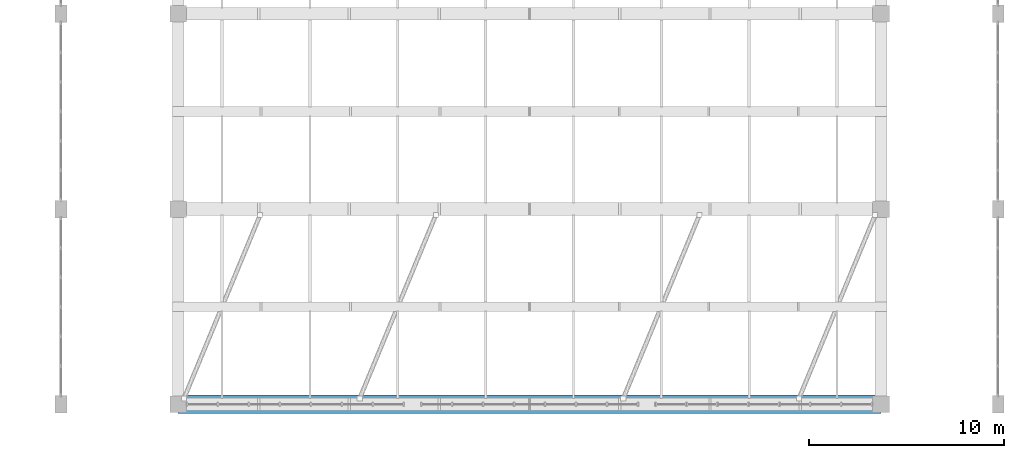
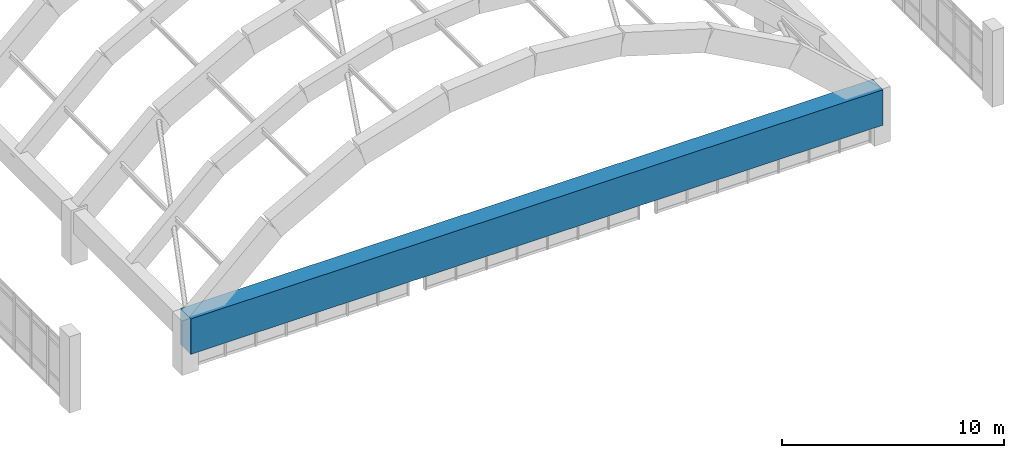
# One storey, part 65 of 111: 1 beam.
"""IFC4 building model written with IfcOpenShell, lengths in metres."""

from ifc_helpers import new_model, si_unit, direction, frame, origin, origin_2d, place, context, subcontext, project, spatial, rectangle, extrude, material, material_profile, profile_set, type_object, element, save


model = new_model("IFC4")

# Units and contexts
model_context = context("Model", 3, precision=1e-05, world=origin(), true_north=direction((0.0, 1.0)))
body_context = subcontext(model_context, "Body", "Model", "MODEL_VIEW")
ifc_project = project(units=[si_unit("LENGTHUNIT", "METRE"), si_unit("AREAUNIT", "SQUARE_METRE"), si_unit("VOLUMEUNIT", "CUBIC_METRE"), si_unit("PLANEANGLEUNIT", "RADIAN"), si_unit("MASSUNIT", "GRAM", prefix="KILO")], contexts=[model_context])

# Site, building, storey
site_placement = place(None, origin())
site = spatial("IfcSite", under=ifc_project, at=site_placement, CompositionType="ELEMENT")
building_placement = place(site_placement, origin())
building = spatial("IfcBuilding", under=site, at=building_placement, Name="Mersad Railyard Sports Hall", CompositionType="ELEMENT")
storey_placement = place(building_placement, frame((0.0, 0.0, 9.0)))
storey = spatial("IfcBuildingStorey", under=building, at=storey_placement, Name="L02", CompositionType="ELEMENT", Elevation=9.0)

# Beam
ifc_material = material(Name="Post-tensioned concrete C50/60", Category="concrete")
ifc_material_profile = material_profile(ifc_material, rectangle(XDim=0.949951171875, YDim=1.949951171875, at=origin_2d()), Name="PT 950x1950")
ifc_profile_set = profile_set([ifc_material_profile], Name="Post-tensioned concrete C50/60")
beam_type = type_object("IfcBeamType", Name="STR-BM-TG03", PredefinedType="USERDEFINED", material=ifc_profile_set)
beam_placement = place(storey_placement, frame((137.0, 3.5, 2.02490234375), z_axis=(1.0, 0.0, 0.0), x_axis=(0.0, 1.0, 0.0)))
element("IfcBeam", 1, at=beam_placement, inside=storey, type_object=beam_type, Name="Transfer girder TG03-0719", ObjectType="GIRDER", PredefinedType="USERDEFINED", context=body_context, shape_type="SweptSolid", body=[
    extrude(rectangle(XDim=0.949951171875, YDim=1.949951171875, at=origin_2d()), origin(), (0.0, 0.0, 1.0), 36.0),
])

save(model, "model.ifc")
